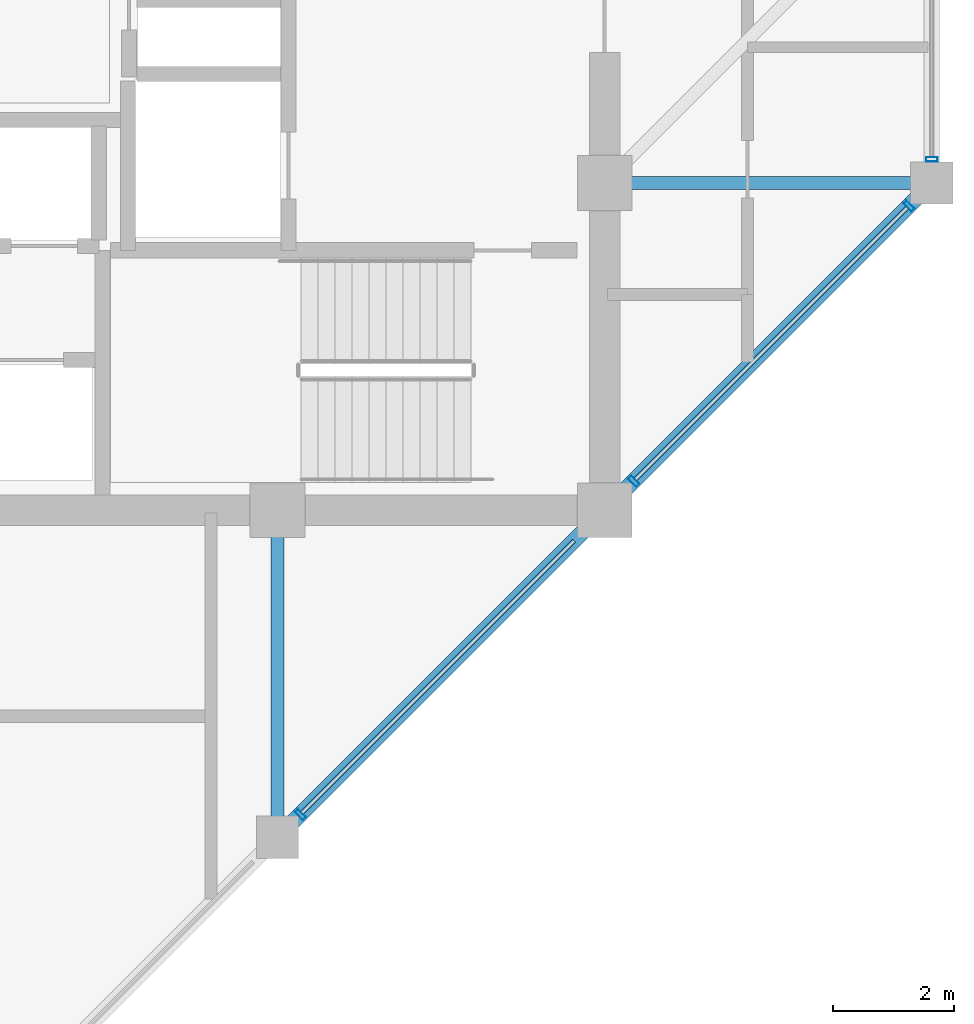
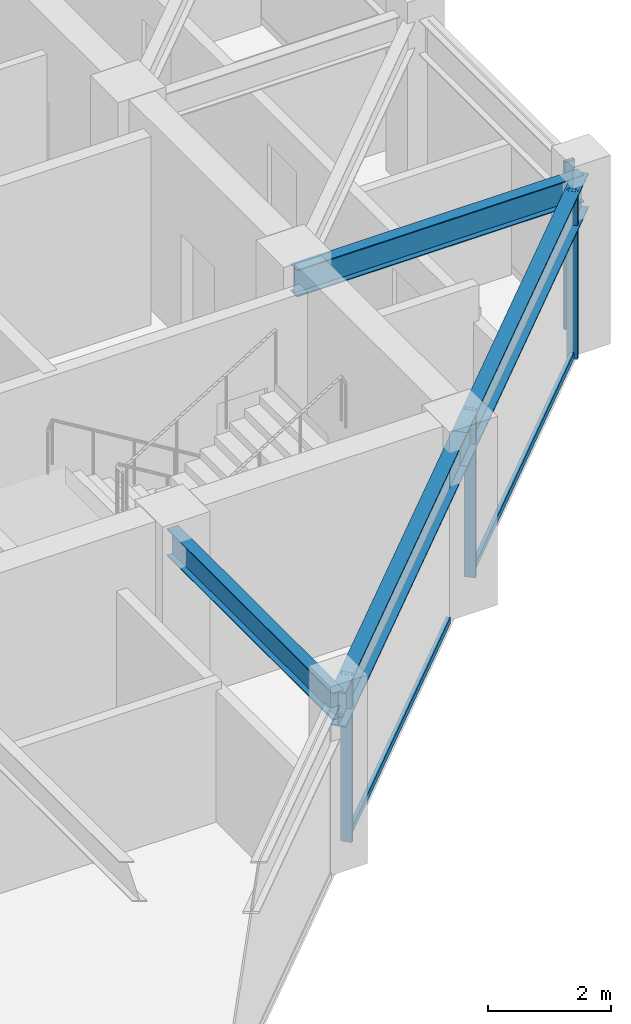
# One storey, part 12 of 31: 6 members, 4 beams, 2 elements without a shape of their own.
"""IFC4 building model written with IfcOpenShell, lengths in metres."""

from ifc_helpers import new_model, si_unit, direction, frame, origin, origin_2d, place, context, subcontext, project, spatial, hollow_rectangle, i_section, extrude, material, layer, layer_set, material_profile, profile_set, type_object, element, aggregate, save


model = new_model("IFC4")

# Units and contexts
model_context = context("Model", 3, precision=1e-05, world=origin(), true_north=direction((0.0, 1.0)))
body_context = subcontext(model_context, "Body", "Model", "MODEL_VIEW")
ifc_project = project(units=[si_unit("LENGTHUNIT", "METRE"), si_unit("AREAUNIT", "SQUARE_METRE"), si_unit("VOLUMEUNIT", "CUBIC_METRE"), si_unit("PLANEANGLEUNIT", "RADIAN"), si_unit("MASSUNIT", "GRAM", prefix="KILO")], contexts=[model_context])

# Site, building, storey
site_placement = place(None, origin())
site = spatial("IfcSite", under=ifc_project, at=site_placement, CompositionType="ELEMENT")
building_placement = place(site_placement, origin())
building = spatial("IfcBuilding", under=site, at=building_placement, Name="Surkhivell Harbour Commons", CompositionType="ELEMENT")
storey_placement = place(building_placement, frame((0.0, 0.0, 333.75)))
storey = spatial("IfcBuildingStorey", under=building, at=storey_placement, Name="L87", CompositionType="ELEMENT", Elevation=333.75)

# Beams
ifc_material_1 = material(Name="Steel S355", Category="steel")
ifc_material_profile_1 = material_profile(ifc_material_1, i_section(OverallWidth=0.2099609375, OverallDepth=0.537109375, WebThickness=0.0107421875, FlangeThickness=0.017333984375, at=origin_2d()), Name="UB533x210x101")
ifc_profile_set_1 = profile_set([ifc_material_profile_1], Name="Steel S355")
beam_type_1 = type_object("IfcBeamType", Name="BM-GRD-533B", PredefinedType="BEAM", material=ifc_profile_set_1)
for number, where, z_axis, x_axis, name in (
    (1, (5.39990234375, -16.199951171875, 3.0615234375), (0.0, 1.0, 0.0), (-1.0, 0.0, 0.0), "L87 Floor Girder (5.4,-16.2)"),
    (2, (10.800048828125, -5.39990234375, 3.0615234375), (1.0, 0.0, 0.0), (0.0, 1.0, 0.0), "L87 Floor Girder (10.8,-5.4)"),
):
    element("IfcBeam", number, at=place(storey_placement, frame(where, z_axis=z_axis, x_axis=x_axis)), inside=storey, type_object=beam_type_1, Name=name, PredefinedType="BEAM", context=body_context, shape_type="SweptSolid", body=[
        extrude(i_section(OverallWidth=0.2099609375, OverallDepth=0.537109375, WebThickness=0.0107421875, FlangeThickness=0.017333984375, at=origin_2d()), origin(), (0.0, 0.0, 1.0), 5.39990234375),
    ])
ifc_material_profile_2 = material_profile(ifc_material_1, i_section(OverallWidth=0.256103515625, OverallDepth=0.693115234375, WebThickness=0.014404296875, FlangeThickness=0.023681640625, at=origin_2d()), Name="UB686x254x170")
ifc_profile_set_2 = profile_set([ifc_material_profile_2], Name="Steel S355")
beam_type_2 = type_object("IfcBeamType", Name="BM-SPN-686", PredefinedType="SPANDREL", material=ifc_profile_set_2)
for number, where, z_axis, x_axis, name in (
    (3, (5.39990234375, -16.199951171875, 2.9833984375), (0.707122765516, 0.707090796496, 0.0), (-0.707090796496, 0.707122765516, 0.0), "L87 Tube Spandrel (5.4,-16.2)"),
    (4, (10.800048828125, -10.800048828125, 2.9833984375), (0.707090796496, 0.707122765516, 0.0), (-0.707122765516, 0.707090796496, 0.0), "L87 Tube Spandrel (10.8,-10.8)"),
):
    element("IfcBeam", number, at=place(storey_placement, frame(where, z_axis=z_axis, x_axis=x_axis)), inside=storey, type_object=beam_type_2, Name=name, PredefinedType="SPANDREL", context=body_context, shape_type="SweptSolid", body=[
        extrude(i_section(OverallWidth=0.256103515625, OverallDepth=0.693115234375, WebThickness=0.014404296875, FlangeThickness=0.023681640625, at=origin_2d()), origin(), (0.0, 0.0, 1.0), 7.63671875),
    ])

# Curtain wall, members
ifc_material_2 = material(Name="Anodised pale-metal aluminium and insulated glazing", Category="aluminium")
ifc_layer = layer(ifc_material_2, 0.175048828125)
ifc_layer_set = layer_set([ifc_layer], Name="Anodised pale-metal aluminium and insulated glazing")
curtain_wall_type = type_object("IfcCurtainWallType", Name="CW-SYS-Z4", PredefinedType="NOTDEFINED", material=ifc_layer_set)
curtain_wall_1_placement = place(storey_placement, origin())
curtain_wall_1 = element("IfcCurtainWall", 5, at=curtain_wall_1_placement, inside=storey, type_object=curtain_wall_type, Name="L87 Curtain Wall CW-L87-E01", PredefinedType="NOTDEFINED")
ifc_material_3 = material(Name="Anodised pale-metal aluminium alloy 6063-T6", Category="aluminium")
ifc_material_profile_3 = material_profile(ifc_material_3, hollow_rectangle(XDim=0.074951171875, YDim=0.18994140625, WallThickness=0.00390625, at=origin_2d()), Name="ALU-MULL-75x190")
ifc_profile_set_3 = profile_set([ifc_material_profile_3], Name="Anodised pale-metal aluminium alloy 6063-T6")
member_type_1 = type_object("IfcMemberType", Name="CWM-190", PredefinedType="MULLION", material=ifc_profile_set_3)
member_1_placement = place(storey_placement, frame((5.778076171875, -15.82177734375, 0.0), z_axis=(0.0, 0.0, 1.0), x_axis=(0.707106781187, 0.707106781187, 0.0)))
member_1 = element("IfcMember", 6, at=member_1_placement, type_object=member_type_1, Name="CW-Z4 mullion 2", PredefinedType="MULLION", context=body_context, shape_type="SweptSolid", body=[
    extrude(hollow_rectangle(XDim=0.074951171875, YDim=0.18994140625, WallThickness=0.00390625, at=origin_2d()), origin(), (0.0, 0.0, 1.0), 3.330078125),
])
member_2_placement = place(storey_placement, frame((11.278076171875, -10.32177734375, 0.0), z_axis=(0.0, 0.0, 1.0), x_axis=(0.707106781187, 0.707106781187, 0.0)))
member_2 = element("IfcMember", 7, at=member_2_placement, type_object=member_type_1, Name="CW-Z4 mullion 3", PredefinedType="MULLION", context=body_context, shape_type="SweptSolid", body=[
    extrude(hollow_rectangle(XDim=0.074951171875, YDim=0.18994140625, WallThickness=0.00390625, at=origin_2d()), origin(), (0.0, 0.0, 1.0), 3.330078125),
])
member_3_placement = place(storey_placement, frame((15.82177734375, -5.778076171875, 0.0), z_axis=(0.0, 0.0, 1.0), x_axis=(0.707106781187, 0.707106781187, 0.0)))
member_3 = element("IfcMember", 8, at=member_3_placement, type_object=member_type_1, Name="CW-Z4 mullion 4", PredefinedType="MULLION", context=body_context, shape_type="SweptSolid", body=[
    extrude(hollow_rectangle(XDim=0.074951171875, YDim=0.18994140625, WallThickness=0.00390625, at=origin_2d()), origin(), (0.0, 0.0, 1.0), 3.330078125),
])

# Curtain wall, member
curtain_wall_2_placement = place(storey_placement, origin())
curtain_wall_2 = element("IfcCurtainWall", 9, at=curtain_wall_2_placement, inside=storey, type_object=curtain_wall_type, Name="L87 Curtain Wall CW-L87-E02", PredefinedType="NOTDEFINED")
member_4_placement = place(storey_placement, frame((16.199951171875, -5.010498046875, 0.0), z_axis=(0.0, 0.0, 1.0), x_axis=(0.0, 1.0, 0.0)))
member_4 = element("IfcMember", 10, at=member_4_placement, type_object=member_type_1, Name="CW-Z4 mullion 1", PredefinedType="MULLION", context=body_context, shape_type="SweptSolid", body=[
    extrude(hollow_rectangle(XDim=0.074951171875, YDim=0.18994140625, WallThickness=0.00390625, at=origin_2d()), origin(), (0.0, 0.0, 1.0), 3.330078125),
])
aggregate(curtain_wall_2, [member_4])

# Member
ifc_material_4 = material(Name="Champagne anodised aluminium alloy 6063-T6", Category="aluminium")
ifc_material_profile_4 = material_profile(ifc_material_4, hollow_rectangle(XDim=0.070068359375, YDim=0.1298828125, WallThickness=0.00341796875, at=origin_2d()), Name="ALU-TRAN-70x130")
ifc_profile_set_4 = profile_set([ifc_material_profile_4], Name="Champagne anodised aluminium alloy 6063-T6")
member_type_2 = type_object("IfcMemberType", Name="CWT-130", PredefinedType="USERDEFINED", material=ifc_profile_set_4)
member_5_placement = place(storey_placement, frame((5.8046875, -15.79541015625, 0.06494140625), z_axis=(0.707106781187, 0.707106781187, 0.0), x_axis=(-0.707106781187, 0.707106781187, 0.0)))
member_5 = element("IfcMember", 11, at=member_5_placement, type_object=member_type_2, Name="CW-Z4 transom 2.1", ObjectType="TRANSOM", PredefinedType="USERDEFINED", context=body_context, shape_type="SweptSolid", body=[
    extrude(hollow_rectangle(XDim=0.070068359375, YDim=0.1298828125, WallThickness=0.00341796875, at=origin_2d()), origin(), (0.0, 0.0, 1.0), 6.350830078125),
])

member_6_placement = place(storey_placement, frame((11.3046875, -10.29541015625, 0.06494140625), z_axis=(0.707106781187, 0.707106781187, 0.0), x_axis=(-0.707106781187, 0.707106781187, 0.0)))
member_6 = element("IfcMember", 12, at=member_6_placement, type_object=member_type_2, Name="CW-Z4 transom 3.1", ObjectType="TRANSOM", PredefinedType="USERDEFINED", context=body_context, shape_type="SweptSolid", body=[
    extrude(hollow_rectangle(XDim=0.070068359375, YDim=0.1298828125, WallThickness=0.00341796875, at=origin_2d()), origin(), (0.0, 0.0, 1.0), 6.350830078125),
])

aggregate(curtain_wall_1, [member_1, member_5, member_2, member_3, member_6])

save(model, "model.ifc")
